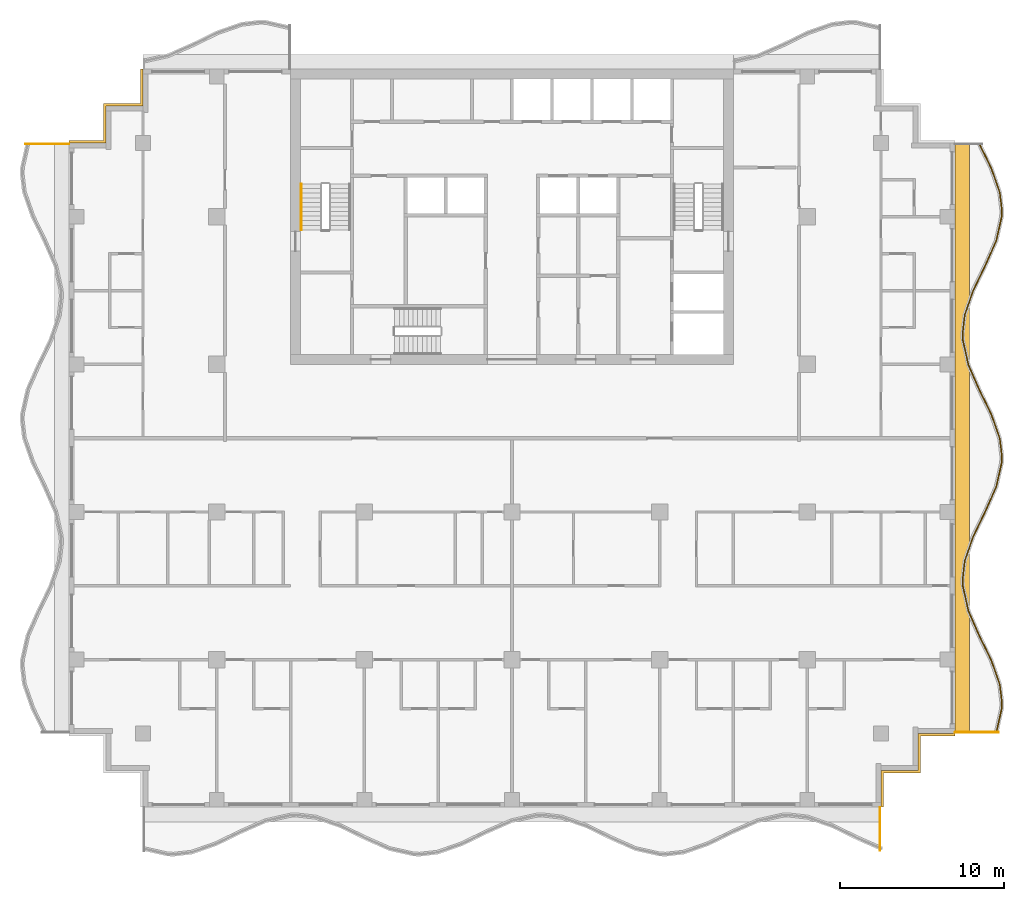
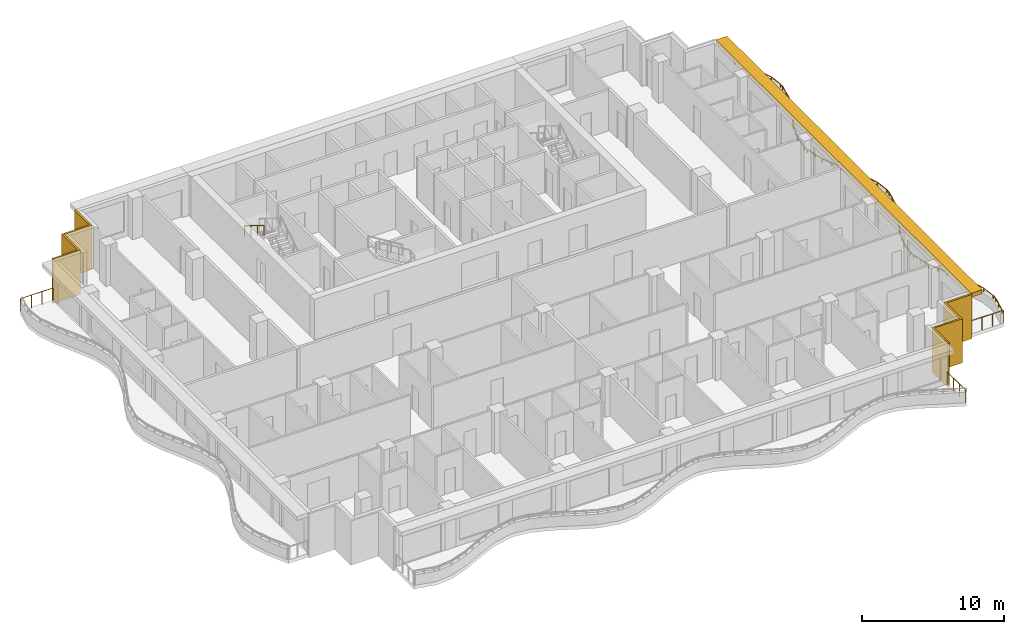
# One storey, part 10 of 11: 5 railings, 3 shading devices.
"""IFC4 building model written with IfcOpenShell, lengths in metres."""

import ifcopenshell
import ifcopenshell.guid

model = None  # the IFC model being written
_history = None  # IfcOwnerHistory: only IFC2X3 demands one
_inside = {}  # id of a spatial element -> (the spatial element, [elements in it])
_under = {}  # id of a project, library or spatial element -> (it, [spatial elements below it])
_declared = {}  # id of a project -> (the project, [libraries it declares])
_typed = {}  # id of a type object -> (the type object, [elements of that type])
_made_of = {}  # id of a material, layer set ... -> (it, [elements and type objects made of it])


def new_model(schema):
    """Start an empty IFC model of exactly this schema.

    Asked for "IFC4X3", IfcOpenShell would pick the latest addendum, in which some entities
    have other attributes; the version numbers below select the first issue.
    IFC2X3 requires an IfcOwnerHistory on every rooted entity: one is made here for all.
    """
    global model, _history
    if schema == "IFC4X3":
        model = ifcopenshell.file(schema_version=(4, 3, 0, 0))
    else:
        model = ifcopenshell.file(schema=schema)
    _inside.clear()
    _under.clear()
    _declared.clear()
    _typed.clear()
    _made_of.clear()
    _history = None
    if model.schema == "IFC2X3":
        org = make("IfcOrganization", Name="unknown")
        user = make(
            "IfcPersonAndOrganization",
            ThePerson=make("IfcPerson", FamilyName="unknown"),
            TheOrganization=org,
        )
        app = make(
            "IfcApplication",
            ApplicationDeveloper=org,
            Version="unknown",
            ApplicationFullName="unknown",
            ApplicationIdentifier="unknown",
        )
        _history = make(
            "IfcOwnerHistory",
            OwningUser=user,
            OwningApplication=app,
            ChangeAction="ADDED",
            CreationDate=0,
        )
    return model


def make(cls, **values):
    """One entity of the class cls with the attributes given. An attribute that is None is left unset."""
    return model.create_entity(
        cls, **{name: value for name, value in values.items() if value is not None}
    )


def rooted(cls, **values):
    """An entity with a GlobalId (a new one), such as an element, a storey or a relation."""
    return make(cls, GlobalId=ifcopenshell.guid.new(), OwnerHistory=_history, **values)


def si_unit(unit_type, name, prefix=None):
    """IfcSIUnit, for example si_unit("LENGTHUNIT", "METRE", prefix="MILLI")."""
    return make("IfcSIUnit", UnitType=unit_type, Prefix=prefix, Name=name)


def assignment(units):
    """IfcUnitAssignment: the units of a project."""
    return None if units is None else make("IfcUnitAssignment", Units=units)


def point(xyz):
    """IfcCartesianPoint."""
    return None if xyz is None else make("IfcCartesianPoint", Coordinates=xyz)


def direction(xyz):
    """IfcDirection."""
    return None if xyz is None else make("IfcDirection", DirectionRatios=xyz)


def frame(location, z_axis=None, x_axis=None):
    """IfcAxis2Placement3D, a coordinate frame: its origin and axes. An axis left out is left unset."""
    return make(
        "IfcAxis2Placement3D",
        Location=point(location),
        Axis=direction(z_axis),
        RefDirection=direction(x_axis),
    )


def frame_2d(location, x_axis=None):
    """IfcAxis2Placement2D, a coordinate frame in the plane: its origin and x axis."""
    return make(
        "IfcAxis2Placement2D", Location=point(location), RefDirection=direction(x_axis)
    )


def origin():
    """The frame at (0, 0, 0) with its axes left unset."""
    return frame((0.0, 0.0, 0.0))


def origin_2d():
    """The frame at (0, 0) in the plane with its x axis left unset."""
    return frame_2d((0.0, 0.0))


def place(relative_to, where):
    """IfcLocalPlacement: puts the frame where relative to a parent placement (None: the world)."""
    return make(
        "IfcLocalPlacement", PlacementRelTo=relative_to, RelativePlacement=where
    )


def context(
    kind, dimensions, precision=None, world=None, true_north=None, identifier=None
):
    """IfcGeometricRepresentationContext, for example the 3D "Model" context."""
    return make(
        "IfcGeometricRepresentationContext",
        ContextIdentifier=identifier,
        ContextType=kind,
        CoordinateSpaceDimension=dimensions,
        Precision=precision,
        WorldCoordinateSystem=world,
        TrueNorth=true_north,
    )


def subcontext(parent, identifier, kind, view, scale=None):
    """IfcGeometricRepresentationSubContext, for example "Body" below "Model"."""
    return make(
        "IfcGeometricRepresentationSubContext",
        ContextIdentifier=identifier,
        ContextType=kind,
        ParentContext=parent,
        TargetScale=scale,
        TargetView=view,
    )


def project(units=None, contexts=None):
    """IfcProject with its units and contexts."""
    return rooted(
        "IfcProject",
        Name="project",
        RepresentationContexts=contexts,
        UnitsInContext=assignment(units),
    )


def spatial(cls, under=None, at=None, **own):
    """A site, building, storey or space (cls), placed at a placement, below another one or the project."""
    s = rooted(cls, ObjectPlacement=at, **own)
    if under is not None:
        _under.setdefault(under.id(), (under, []))[1].append(s)
    return s


def polyline(points):
    """IfcPolyline through the points."""
    return make("IfcPolyline", Points=[point(p) for p in points])


def profile(cls, at=None, kind="AREA", **sizes):
    """A parametric profile (cls). Its sizes go by their IFC names, for example OverallWidth=200.0."""
    return make(cls, ProfileType=kind, Position=at, **sizes)


def rectangle(**sizes):
    """IfcRectangleProfileDef."""
    return profile("IfcRectangleProfileDef", **sizes)


def circle(**sizes):
    """IfcCircleProfileDef."""
    return profile("IfcCircleProfileDef", **sizes)


def outline(outer, holes=None, kind="AREA"):
    """IfcArbitraryClosedProfileDef: a profile drawn as a closed curve; with holes, ...WithVoids."""
    if holes is None:
        return make("IfcArbitraryClosedProfileDef", ProfileType=kind, OuterCurve=outer)
    return make(
        "IfcArbitraryProfileDefWithVoids",
        ProfileType=kind,
        OuterCurve=outer,
        InnerCurves=holes,
    )


def extrude(swept, where, along, depth):
    """IfcExtrudedAreaSolid: the profile swept, set in the frame where, extruded along a direction by depth."""
    return make(
        "IfcExtrudedAreaSolid",
        SweptArea=swept,
        Position=where,
        ExtrudedDirection=direction(along),
        Depth=depth,
    )


def shape(context_of_items, identifier, shape_type, items):
    """IfcShapeRepresentation: the items that make up one representation, for example the "Body"."""
    return make(
        "IfcShapeRepresentation",
        ContextOfItems=context_of_items,
        RepresentationIdentifier=identifier,
        RepresentationType=shape_type,
        Items=items,
    )


def material(Name=None, Category=None):
    """IfcMaterial."""
    return make("IfcMaterial", Name=Name, Category=Category)


def layer(
    of_material, thickness, ventilated=None, Name=None, Category=None, Priority=None
):
    """IfcMaterialLayer: one layer of a wall or slab, of a material (None: an air gap)."""
    return make(
        "IfcMaterialLayer",
        Material=of_material,
        LayerThickness=thickness,
        IsVentilated=ventilated,
        Name=Name,
        Category=Category,
        Priority=Priority,
    )


def layer_set(layers, Name=None):
    """IfcMaterialLayerSet."""
    return make("IfcMaterialLayerSet", MaterialLayers=layers, LayerSetName=Name)


def made_of(thing, what):
    """Note that an element or type object is made of a material, layer set ...; save() writes the relation."""
    if what is not None:
        _made_of.setdefault(what.id(), (what, []))[1].append(thing)
    return thing


def type_object(cls, material=None, **own):
    """A type object (cls), such as IfcWallType, which elements share."""
    return made_of(rooted(cls, **own), material)


def element(
    cls,
    number,
    at=None,
    inside=None,
    cuts=None,
    type_object=None,
    material=None,
    context=None,
    identifier="Body",
    shape_type=None,
    held_by="IfcProductDefinitionShape",
    body=None,
    shapes=None,
    **own,
):
    """One element of the class cls, such as IfcWall. Its Tag is "e" and its number.

    at: its placement. inside: the storey or other place that contains it. cuts: it is an
    opening in that element (IfcRelVoidsElement). A single representation is given by context,
    identifier, shape_type and body (its items); several are given by shapes. held_by: the class
    of the entity that holds the representations. save() writes the other relations.
    """
    e = rooted(cls, Tag="e%d" % number, ObjectPlacement=at, **own)
    if body is not None:
        shapes = [shape(context, identifier, shape_type, body)]
    if shapes is not None:
        e.Representation = make(held_by, Representations=shapes)
    if inside is not None:
        _inside.setdefault(inside.id(), (inside, []))[1].append(e)
    if cuts is not None:
        rooted(
            "IfcRelVoidsElement", RelatingBuildingElement=cuts, RelatedOpeningElement=e
        )
    if type_object is not None:
        _typed.setdefault(type_object.id(), (type_object, []))[1].append(e)
    return made_of(e, material)


def aggregate(whole, parts):
    """IfcRelAggregates: a whole, such as a stair, and the parts it consists of."""
    return rooted("IfcRelAggregates", RelatingObject=whole, RelatedObjects=parts)


def save(model, path):
    """Write the relations noted so far, then the file.

    IfcRelAggregates (storeys below a building ...), IfcRelContainedInSpatialStructure (elements
    in a storey), IfcRelDefinesByType, IfcRelAssociatesMaterial and IfcRelDeclares: one each for
    every whole, place, type object, material and project.
    """
    for whole, parts in _under.values():
        aggregate(whole, parts)
    for where, things in _inside.values():
        rooted(
            "IfcRelContainedInSpatialStructure",
            RelatedElements=things,
            RelatingStructure=where,
        )
    for kind, things in _typed.values():
        rooted("IfcRelDefinesByType", RelatedObjects=things, RelatingType=kind)
    for what, things in _made_of.values():
        rooted("IfcRelAssociatesMaterial", RelatedObjects=things, RelatingMaterial=what)
    for by, libraries in _declared.values():
        rooted("IfcRelDeclares", RelatingContext=by, RelatedDefinitions=libraries)
    model.write(path)


model = new_model("IFC4")

# Units and contexts
model_context = context("Model", 3, precision=1e-05, world=origin(), true_north=direction((0.0, 1.0)))
body_context = subcontext(model_context, "Body", "Model", "MODEL_VIEW")
ifc_project = project(units=[si_unit("LENGTHUNIT", "METRE"), si_unit("AREAUNIT", "SQUARE_METRE"), si_unit("VOLUMEUNIT", "CUBIC_METRE"), si_unit("PLANEANGLEUNIT", "RADIAN"), si_unit("MASSUNIT", "GRAM", prefix="KILO")], contexts=[model_context])

# Site, building, storey
site_placement = place(None, origin())
site = spatial("IfcSite", under=ifc_project, at=site_placement, CompositionType="ELEMENT")
building_placement = place(site_placement, origin())
building = spatial("IfcBuilding", under=site, at=building_placement, Name="Orbiselva Terraces", CompositionType="ELEMENT")
storey_placement = place(building_placement, frame((0.0, 0.0, 246.4)))
storey = spatial("IfcBuildingStorey", under=building, at=storey_placement, Name="L62", CompositionType="ELEMENT", Elevation=246.4)

# Railings
ifc_material_1 = material(Name="Stainless steel", Category="steel")
railing_type_1 = type_object("IfcRailingType", Name="CORE-HANDRAIL-900", PredefinedType="HANDRAIL", material=ifc_material_1)
railing_1_placement = place(storey_placement, frame((-12.85, 15.5, 2.072727)))
element("IfcRailing", 1, at=railing_1_placement, inside=storey, type_object=railing_type_1, Name="L62 S1 stair handrail 2", PredefinedType="HANDRAIL", context=body_context, shape_type="SweptSolid", body=[
    extrude(circle(Radius=0.024, at=origin_2d()), frame((0.0, 0.0, 0.876), z_axis=(0.0, -0.851088519012, 0.52502222125), x_axis=(1.0, 0.0, 0.0)), (0.0, 0.0, 1.0), 3.289905),
    extrude(circle(Radius=0.021, at=origin_2d()), origin(), (0.0, 0.0, 1.0), 0.852),
    extrude(circle(Radius=0.021, at=origin_2d()), frame((0.0, -0.933333, 0.575758)), (0.0, 0.0, 1.0), 0.852),
    extrude(circle(Radius=0.021, at=origin_2d()), frame((0.0, -1.866667, 1.151515)), (0.0, 0.0, 1.0), 0.852),
    extrude(circle(Radius=0.021, at=origin_2d()), frame((0.0, -2.8, 1.727273)), (0.0, 0.0, 1.0), 0.852),
])
ifc_material_2 = material(Name="Bonded two-ply safety glass balustrade, stainless steel posts", Category="steel")
railing_type_2 = type_object("IfcRailingType", Name="ENV-BALUSTRADE-1200", PredefinedType="BALUSTRADE", material=ifc_material_2)
railing_2_placement = place(storey_placement, frame((29.526563, -17.972623, 0.9)))
element("IfcRailing", 2, at=railing_2_placement, inside=storey, type_object=railing_type_2, Name="Balcony balustrade L62 E", PredefinedType="BALUSTRADE", context=body_context, shape_type="SweptSolid", body=[
    extrude(outline(polyline([(0.028868, 0.0), (0.014434, 0.025), (-0.014434, 0.025), (-0.028868, 0.0), (-0.014434, -0.025), (0.014434, -0.025), (0.028868, 0.0)])), frame((0.0, 0.0, 0.275), z_axis=(0.21901575501, 0.975721322437, 0.0), x_axis=(-0.975721322437, 0.21901575501, 0.0)), (0.0, 0.0, 1.0), 1.525954),
    extrude(outline(polyline([(0.028868, 0.0), (0.014434, 0.025), (-0.014434, 0.025), (-0.028868, 0.0), (-0.014434, -0.025), (0.014434, -0.025), (0.028868, 0.0)])), frame((0.334208, 1.488906, 0.275), z_axis=(0.039364150694, 0.999224931454, 0.0), x_axis=(-0.999224931454, 0.039364150694, 0.0)), (0.0, 0.0, 1.0), 0.354206),
    extrude(outline(polyline([(0.028868, 0.0), (0.014434, 0.025), (-0.014434, 0.025), (-0.028868, 0.0), (-0.014434, -0.025), (0.014434, -0.025), (0.028868, 0.0)])), frame((0.348151, 1.842837, 0.275), z_axis=(-0.115481264762, 0.993309658409, 0.0), x_axis=(-0.993309658409, -0.115481264762, 0.0)), (0.0, 0.0, 1.0), 1.10902),
    extrude(outline(polyline([(0.028868, 0.0), (0.014434, 0.025), (-0.014434, 0.025), (-0.028868, 0.0), (-0.014434, -0.025), (0.014434, -0.025), (0.028868, 0.0)])), frame((0.22008, 2.944437, 0.275), z_axis=(-0.330024754707, 0.943972277814, 0.0), x_axis=(-0.943972277814, -0.330024754707, 0.0)), (0.0, 0.0, 1.0), 1.567807),
    extrude(outline(polyline([(0.028868, 0.0), (0.014434, 0.025), (-0.014434, 0.025), (-0.028868, 0.0), (-0.014434, -0.025), (0.014434, -0.025), (0.028868, 0.0)])), frame((-0.297335, 4.424403, 0.275), z_axis=(-0.438811978768, 0.89857890432, 0.0), x_axis=(-0.89857890432, -0.438811978768, 0.0)), (0.0, 0.0, 1.0), 1.66438),
    extrude(outline(polyline([(0.028868, 0.0), (0.014434, 0.025), (-0.014434, 0.025), (-0.028868, 0.0), (-0.014434, -0.025), (0.014434, -0.025), (0.028868, 0.0)])), frame((-1.027685, 5.91998, 0.275), z_axis=(-0.403150874148, 0.915133527237, 0.0), x_axis=(-0.915133527237, -0.403150874148, 0.0)), (0.0, 0.0, 1.0), 1.653736),
    extrude(outline(polyline([(0.028868, 0.0), (0.014434, 0.025), (-0.014434, 0.025), (-0.028868, 0.0), (-0.014434, -0.025), (0.014434, -0.025), (0.028868, 0.0)])), frame((-1.69439, 7.433369, 0.275), z_axis=(-0.219015500924, 0.97572137947, 0.0), x_axis=(-0.97572137947, -0.219015500924, 0.0)), (0.0, 0.0, 1.0), 1.560867),
    extrude(outline(polyline([(0.028868, 0.0), (0.014434, 0.025), (-0.014434, 0.025), (-0.028868, 0.0), (-0.014434, -0.025), (0.014434, -0.025), (0.028868, 0.0)])), frame((-2.036244, 8.95634, 0.275), z_axis=(-0.03936915532, 0.999224734286, 0.0), x_axis=(-0.999224734286, -0.03936915532, 0.0)), (0.0, 0.0, 1.0), 0.396376),
    extrude(outline(polyline([(0.028868, 0.0), (0.014434, 0.025), (-0.014434, 0.025), (-0.028868, 0.0), (-0.014434, -0.025), (0.014434, -0.025), (0.028868, 0.0)])), frame((-2.051849, 9.352409, 0.275), z_axis=(0.115482182324, 0.993309551734, 0.0), x_axis=(-0.993309551734, 0.115482182324, 0.0)), (0.0, 0.0, 1.0), 1.156135),
    extrude(outline(polyline([(0.028868, 0.0), (0.014434, 0.025), (-0.014434, 0.025), (-0.028868, 0.0), (-0.014434, -0.025), (0.014434, -0.025), (0.028868, 0.0)])), frame((-1.918336, 10.500809, 0.275), z_axis=(0.330024597479, 0.943972332783, 0.0), x_axis=(-0.943972332783, 0.330024597479, 0.0)), (0.0, 0.0, 1.0), 1.610253),
    extrude(outline(polyline([(0.028868, 0.0), (0.014434, 0.025), (-0.014434, 0.025), (-0.028868, 0.0), (-0.014434, -0.025), (0.014434, -0.025), (0.028868, 0.0)])), frame((-1.386913, 12.020843, 0.275), z_axis=(0.438812048596, 0.898578870221, 0.0), x_axis=(-0.898578870221, 0.438812048596, 0.0)), (0.0, 0.0, 1.0), 1.674225),
    extrude(outline(polyline([(0.028868, 0.0), (0.014434, 0.025), (-0.014434, 0.025), (-0.028868, 0.0), (-0.014434, -0.025), (0.014434, -0.025), (0.028868, 0.0)])), frame((-0.652243, 13.525266, 0.275), z_axis=(0.403151245402, 0.915133363686, 0.0), x_axis=(-0.915133363686, 0.403151245402, 0.0)), (0.0, 0.0, 1.0), 1.624475),
    extrude(outline(polyline([(0.028868, 0.0), (0.014434, 0.025), (-0.014434, 0.025), (-0.028868, 0.0), (-0.014434, -0.025), (0.014434, -0.025), (0.028868, 0.0)])), frame((0.002666, 15.011877, 0.275), z_axis=(0.219015740235, 0.975721325753, 0.0), x_axis=(-0.975721325753, 0.219015740235, 0.0)), (0.0, 0.0, 1.0), 1.513782),
    extrude(outline(polyline([(0.028868, 0.0), (0.014434, 0.025), (-0.014434, 0.025), (-0.028868, 0.0), (-0.014434, -0.025), (0.014434, -0.025), (0.028868, 0.0)])), frame((0.334208, 16.488906, 0.275), z_axis=(0.039364150694, 0.999224931454, 0.0), x_axis=(-0.999224931454, 0.039364150694, 0.0)), (0.0, 0.0, 1.0), 0.354206),
    extrude(outline(polyline([(0.028868, 0.0), (0.014434, 0.025), (-0.014434, 0.025), (-0.028868, 0.0), (-0.014434, -0.025), (0.014434, -0.025), (0.028868, 0.0)])), frame((0.348151, 16.842837, 0.275), z_axis=(-0.115481264762, 0.993309658409, 0.0), x_axis=(-0.993309658409, -0.115481264762, 0.0)), (0.0, 0.0, 1.0), 1.10902),
    extrude(outline(polyline([(0.028868, 0.0), (0.014434, 0.025), (-0.014434, 0.025), (-0.028868, 0.0), (-0.014434, -0.025), (0.014434, -0.025), (0.028868, 0.0)])), frame((0.22008, 17.944437, 0.275), z_axis=(-0.330024754707, 0.943972277814, 0.0), x_axis=(-0.943972277814, -0.330024754707, 0.0)), (0.0, 0.0, 1.0), 1.567807),
    extrude(outline(polyline([(0.028868, 0.0), (0.014434, 0.025), (-0.014434, 0.025), (-0.028868, 0.0), (-0.014434, -0.025), (0.014434, -0.025), (0.028868, 0.0)])), frame((-0.297335, 19.424403, 0.275), z_axis=(-0.438811978768, 0.89857890432, 0.0), x_axis=(-0.89857890432, -0.438811978768, 0.0)), (0.0, 0.0, 1.0), 1.66438),
    extrude(outline(polyline([(0.028868, 0.0), (0.014434, 0.025), (-0.014434, 0.025), (-0.028868, 0.0), (-0.014434, -0.025), (0.014434, -0.025), (0.028868, 0.0)])), frame((-1.027685, 20.91998, 0.275), z_axis=(-0.403150874148, 0.915133527237, 0.0), x_axis=(-0.915133527237, -0.403150874148, 0.0)), (0.0, 0.0, 1.0), 1.653736),
    extrude(outline(polyline([(0.028868, 0.0), (0.014434, 0.025), (-0.014434, 0.025), (-0.028868, 0.0), (-0.014434, -0.025), (0.014434, -0.025), (0.028868, 0.0)])), frame((-1.69439, 22.433369, 0.275), z_axis=(-0.219015500924, 0.97572137947, 0.0), x_axis=(-0.97572137947, -0.219015500924, 0.0)), (0.0, 0.0, 1.0), 1.560867),
    extrude(outline(polyline([(0.028868, 0.0), (0.014434, 0.025), (-0.014434, 0.025), (-0.028868, 0.0), (-0.014434, -0.025), (0.014434, -0.025), (0.028868, 0.0)])), frame((-2.036244, 23.95634, 0.275), z_axis=(-0.03936915532, 0.999224734286, 0.0), x_axis=(-0.999224734286, -0.03936915532, 0.0)), (0.0, 0.0, 1.0), 0.396376),
    extrude(outline(polyline([(0.028868, 0.0), (0.014434, 0.025), (-0.014434, 0.025), (-0.028868, 0.0), (-0.014434, -0.025), (0.014434, -0.025), (0.028868, 0.0)])), frame((-2.051849, 24.352409, 0.275), z_axis=(0.115482182324, 0.993309551734, 0.0), x_axis=(-0.993309551734, 0.115482182324, 0.0)), (0.0, 0.0, 1.0), 1.156135),
    extrude(outline(polyline([(0.028868, 0.0), (0.014434, 0.025), (-0.014434, 0.025), (-0.028868, 0.0), (-0.014434, -0.025), (0.014434, -0.025), (0.028868, 0.0)])), frame((-1.918336, 25.500809, 0.275), z_axis=(0.330024597479, 0.943972332783, 0.0), x_axis=(-0.943972332783, 0.330024597479, 0.0)), (0.0, 0.0, 1.0), 1.610253),
    extrude(outline(polyline([(0.028868, 0.0), (0.014434, 0.025), (-0.014434, 0.025), (-0.028868, 0.0), (-0.014434, -0.025), (0.014434, -0.025), (0.028868, 0.0)])), frame((-1.386913, 27.020843, 0.275), z_axis=(0.438812048596, 0.898578870221, 0.0), x_axis=(-0.898578870221, 0.438812048596, 0.0)), (0.0, 0.0, 1.0), 1.674225),
    extrude(outline(polyline([(0.028868, 0.0), (0.014434, 0.025), (-0.014434, 0.025), (-0.028868, 0.0), (-0.014434, -0.025), (0.014434, -0.025), (0.028868, 0.0)])), frame((-0.652243, 28.525266, 0.275), z_axis=(0.403151245402, 0.915133363686, 0.0), x_axis=(-0.915133363686, 0.403151245402, 0.0)), (0.0, 0.0, 1.0), 1.624475),
    extrude(outline(polyline([(0.028868, 0.0), (0.014434, 0.025), (-0.014434, 0.025), (-0.028868, 0.0), (-0.014434, -0.025), (0.014434, -0.025), (0.028868, 0.0)])), frame((0.002666, 30.011877, 0.275), z_axis=(0.219015740235, 0.975721325753, 0.0), x_axis=(-0.975721325753, 0.219015740235, 0.0)), (0.0, 0.0, 1.0), 1.513782),
    extrude(outline(polyline([(0.028868, 0.0), (0.014434, 0.025), (-0.014434, 0.025), (-0.028868, 0.0), (-0.014434, -0.025), (0.014434, -0.025), (0.028868, 0.0)])), frame((0.334208, 31.488906, 0.275), z_axis=(0.039364150694, 0.999224931454, 0.0), x_axis=(-0.999224931454, 0.039364150694, 0.0)), (0.0, 0.0, 1.0), 0.354206),
    extrude(outline(polyline([(0.028868, 0.0), (0.014434, 0.025), (-0.014434, 0.025), (-0.028868, 0.0), (-0.014434, -0.025), (0.014434, -0.025), (0.028868, 0.0)])), frame((0.348151, 31.842837, 0.275), z_axis=(-0.115481264762, 0.993309658409, 0.0), x_axis=(-0.993309658409, -0.115481264762, 0.0)), (0.0, 0.0, 1.0), 1.10902),
    extrude(outline(polyline([(0.028868, 0.0), (0.014434, 0.025), (-0.014434, 0.025), (-0.028868, 0.0), (-0.014434, -0.025), (0.014434, -0.025), (0.028868, 0.0)])), frame((0.22008, 32.944437, 0.275), z_axis=(-0.330024754707, 0.943972277814, 0.0), x_axis=(-0.943972277814, -0.330024754707, 0.0)), (0.0, 0.0, 1.0), 1.567807),
    extrude(outline(polyline([(0.028868, 0.0), (0.014434, 0.025), (-0.014434, 0.025), (-0.028868, 0.0), (-0.014434, -0.025), (0.014434, -0.025), (0.028868, 0.0)])), frame((-0.297335, 34.424403, 0.275), z_axis=(-0.438811853882, 0.898578965307, 0.0), x_axis=(-0.898578965307, -0.438811853882, 0.0)), (0.0, 0.0, 1.0), 1.661922),
    extrude(rectangle(XDim=0.05, YDim=0.05, at=origin_2d()), origin(), (0.0, 0.0, 1.0), 0.25),
    extrude(rectangle(XDim=0.05, YDim=0.05, at=origin_2d()), frame((0.167104, 0.744453, 0.0)), (0.0, 0.0, 1.0), 0.25),
    extrude(rectangle(XDim=0.05, YDim=0.05, at=origin_2d()), frame((0.334208, 1.488906, 0.0)), (0.0, 0.0, 1.0), 0.25),
    extrude(rectangle(XDim=0.05, YDim=0.05, at=origin_2d()), frame((0.348151, 1.842837, 0.0)), (0.0, 0.0, 1.0), 0.25),
    extrude(rectangle(XDim=0.05, YDim=0.05, at=origin_2d()), frame((0.22008, 2.944437, 0.0)), (0.0, 0.0, 1.0), 0.25),
    extrude(rectangle(XDim=0.05, YDim=0.05, at=origin_2d()), frame((-0.038628, 3.68442, 0.0)), (0.0, 0.0, 1.0), 0.25),
    extrude(rectangle(XDim=0.05, YDim=0.05, at=origin_2d()), frame((-0.297335, 4.424403, 0.0)), (0.0, 0.0, 1.0), 0.25),
    extrude(rectangle(XDim=0.05, YDim=0.05, at=origin_2d()), frame((-0.66251, 5.172191, 0.0)), (0.0, 0.0, 1.0), 0.25),
    extrude(rectangle(XDim=0.05, YDim=0.05, at=origin_2d()), frame((-1.027685, 5.91998, 0.0)), (0.0, 0.0, 1.0), 0.25),
    extrude(rectangle(XDim=0.05, YDim=0.05, at=origin_2d()), frame((-1.361037, 6.676674, 0.0)), (0.0, 0.0, 1.0), 0.25),
    extrude(rectangle(XDim=0.05, YDim=0.05, at=origin_2d()), frame((-1.69439, 7.433369, 0.0)), (0.0, 0.0, 1.0), 0.25),
    extrude(rectangle(XDim=0.05, YDim=0.05, at=origin_2d()), frame((-1.865317, 8.194854, 0.0)), (0.0, 0.0, 1.0), 0.25),
    extrude(rectangle(XDim=0.05, YDim=0.05, at=origin_2d()), frame((-2.036244, 8.95634, 0.0)), (0.0, 0.0, 1.0), 0.25),
    extrude(rectangle(XDim=0.05, YDim=0.05, at=origin_2d()), frame((-2.051849, 9.352409, 0.0)), (0.0, 0.0, 1.0), 0.25),
    extrude(rectangle(XDim=0.05, YDim=0.05, at=origin_2d()), frame((-1.918336, 10.500809, 0.0)), (0.0, 0.0, 1.0), 0.25),
    extrude(rectangle(XDim=0.05, YDim=0.05, at=origin_2d()), frame((-1.652624, 11.260826, 0.0)), (0.0, 0.0, 1.0), 0.25),
    extrude(rectangle(XDim=0.05, YDim=0.05, at=origin_2d()), frame((-1.386913, 12.020843, 0.0)), (0.0, 0.0, 1.0), 0.25),
    extrude(rectangle(XDim=0.05, YDim=0.05, at=origin_2d()), frame((-1.019578, 12.773054, 0.0)), (0.0, 0.0, 1.0), 0.25),
    extrude(rectangle(XDim=0.05, YDim=0.05, at=origin_2d()), frame((-0.652243, 13.525266, 0.0)), (0.0, 0.0, 1.0), 0.25),
    extrude(rectangle(XDim=0.05, YDim=0.05, at=origin_2d()), frame((-0.324788, 14.268571, 0.0)), (0.0, 0.0, 1.0), 0.25),
    extrude(rectangle(XDim=0.05, YDim=0.05, at=origin_2d()), frame((0.002666, 15.011877, 0.0)), (0.0, 0.0, 1.0), 0.25),
    extrude(rectangle(XDim=0.05, YDim=0.05, at=origin_2d()), frame((0.168437, 15.750392, 0.0)), (0.0, 0.0, 1.0), 0.25),
    extrude(rectangle(XDim=0.05, YDim=0.05, at=origin_2d()), frame((0.334208, 16.488906, 0.0)), (0.0, 0.0, 1.0), 0.25),
    extrude(rectangle(XDim=0.05, YDim=0.05, at=origin_2d()), frame((0.348151, 16.842837, 0.0)), (0.0, 0.0, 1.0), 0.25),
    extrude(rectangle(XDim=0.05, YDim=0.05, at=origin_2d()), frame((0.22008, 17.944437, 0.0)), (0.0, 0.0, 1.0), 0.25),
    extrude(rectangle(XDim=0.05, YDim=0.05, at=origin_2d()), frame((-0.038628, 18.68442, 0.0)), (0.0, 0.0, 1.0), 0.25),
    extrude(rectangle(XDim=0.05, YDim=0.05, at=origin_2d()), frame((-0.297335, 19.424403, 0.0)), (0.0, 0.0, 1.0), 0.25),
    extrude(rectangle(XDim=0.05, YDim=0.05, at=origin_2d()), frame((-0.66251, 20.172191, 0.0)), (0.0, 0.0, 1.0), 0.25),
    extrude(rectangle(XDim=0.05, YDim=0.05, at=origin_2d()), frame((-1.027685, 20.91998, 0.0)), (0.0, 0.0, 1.0), 0.25),
    extrude(rectangle(XDim=0.05, YDim=0.05, at=origin_2d()), frame((-1.361037, 21.676674, 0.0)), (0.0, 0.0, 1.0), 0.25),
    extrude(rectangle(XDim=0.05, YDim=0.05, at=origin_2d()), frame((-1.69439, 22.433369, 0.0)), (0.0, 0.0, 1.0), 0.25),
    extrude(rectangle(XDim=0.05, YDim=0.05, at=origin_2d()), frame((-1.865317, 23.194854, 0.0)), (0.0, 0.0, 1.0), 0.25),
    extrude(rectangle(XDim=0.05, YDim=0.05, at=origin_2d()), frame((-2.036244, 23.95634, 0.0)), (0.0, 0.0, 1.0), 0.25),
    extrude(rectangle(XDim=0.05, YDim=0.05, at=origin_2d()), frame((-2.051849, 24.352409, 0.0)), (0.0, 0.0, 1.0), 0.25),
    extrude(rectangle(XDim=0.05, YDim=0.05, at=origin_2d()), frame((-1.918336, 25.500809, 0.0)), (0.0, 0.0, 1.0), 0.25),
    extrude(rectangle(XDim=0.05, YDim=0.05, at=origin_2d()), frame((-1.652624, 26.260826, 0.0)), (0.0, 0.0, 1.0), 0.25),
    extrude(rectangle(XDim=0.05, YDim=0.05, at=origin_2d()), frame((-1.386913, 27.020843, 0.0)), (0.0, 0.0, 1.0), 0.25),
    extrude(rectangle(XDim=0.05, YDim=0.05, at=origin_2d()), frame((-1.019578, 27.773054, 0.0)), (0.0, 0.0, 1.0), 0.25),
    extrude(rectangle(XDim=0.05, YDim=0.05, at=origin_2d()), frame((-0.652243, 28.525266, 0.0)), (0.0, 0.0, 1.0), 0.25),
    extrude(rectangle(XDim=0.05, YDim=0.05, at=origin_2d()), frame((-0.324788, 29.268572, 0.0)), (0.0, 0.0, 1.0), 0.25),
    extrude(rectangle(XDim=0.05, YDim=0.05, at=origin_2d()), frame((0.002666, 30.011877, 0.0)), (0.0, 0.0, 1.0), 0.25),
    extrude(rectangle(XDim=0.05, YDim=0.05, at=origin_2d()), frame((0.168437, 30.750392, 0.0)), (0.0, 0.0, 1.0), 0.25),
    extrude(rectangle(XDim=0.05, YDim=0.05, at=origin_2d()), frame((0.334208, 31.488906, 0.0)), (0.0, 0.0, 1.0), 0.25),
    extrude(rectangle(XDim=0.05, YDim=0.05, at=origin_2d()), frame((0.348151, 31.842837, 0.0)), (0.0, 0.0, 1.0), 0.25),
    extrude(rectangle(XDim=0.05, YDim=0.05, at=origin_2d()), frame((0.22008, 32.944437, 0.0)), (0.0, 0.0, 1.0), 0.25),
    extrude(rectangle(XDim=0.05, YDim=0.05, at=origin_2d()), frame((-0.038628, 33.68442, 0.0)), (0.0, 0.0, 1.0), 0.25),
    extrude(rectangle(XDim=0.05, YDim=0.05, at=origin_2d()), frame((-0.297335, 34.424403, 0.0)), (0.0, 0.0, 1.0), 0.25),
    extrude(rectangle(XDim=0.05, YDim=0.05, at=origin_2d()), frame((-0.661971, 35.171087, 0.0)), (0.0, 0.0, 1.0), 0.25),
    extrude(rectangle(XDim=0.05, YDim=0.05, at=origin_2d()), frame((-1.026606, 35.917771, 0.0)), (0.0, 0.0, 1.0), 0.25),
])
ifc_material_3 = material(Name="Stainless steel rail and posts", Category="steel")
railing_type_3 = type_object("IfcRailingType", Name="ENV-GUARD-1105", PredefinedType="BALUSTRADE", material=ifc_material_3)
railing_3_placement = place(storey_placement, frame((22.44, -25.126937, 0.0)))
element("IfcRailing", 3, at=railing_3_placement, inside=storey, type_object=railing_type_3, Name="Balcony end guard L62 S", PredefinedType="BALUSTRADE", context=body_context, shape_type="SweptSolid", body=[
    extrude(outline(polyline([(0.028868, 0.0), (0.014434, 0.025), (-0.014434, 0.025), (-0.028868, 0.0), (-0.014434, -0.025), (0.014434, -0.025), (0.028868, 0.0)])), frame((0.0, 0.0, 1.08), z_axis=(0.0, 1.0, 0.0), x_axis=(-1.0, 0.0, 0.0)), (0.0, 0.0, 1.0), 2.601937),
    extrude(rectangle(XDim=0.05, YDim=0.05, at=origin_2d()), origin(), (0.0, 0.0, 1.0), 1.055),
    extrude(rectangle(XDim=0.05, YDim=0.05, at=origin_2d()), frame((0.0, 0.867312, 0.0)), (0.0, 0.0, 1.0), 1.055),
    extrude(rectangle(XDim=0.05, YDim=0.05, at=origin_2d()), frame((0.0, 1.734625, 0.0)), (0.0, 0.0, 1.0), 1.055),
    extrude(rectangle(XDim=0.05, YDim=0.05, at=origin_2d()), frame((0.0, 2.601937, 0.0)), (0.0, 0.0, 1.0), 1.055),
])
railing_4_placement = place(storey_placement, frame((29.669584, -17.94, 0.0)))
element("IfcRailing", 4, at=railing_4_placement, inside=storey, type_object=railing_type_3, Name="Balcony end guard L62 E", PredefinedType="BALUSTRADE", context=body_context, shape_type="SweptSolid", body=[
    extrude(outline(polyline([(0.028868, 0.0), (0.014434, 0.025), (-0.014434, 0.025), (-0.028868, 0.0), (-0.014434, -0.025), (0.014434, -0.025), (0.028868, 0.0)])), frame((0.0, 0.0, 1.08), z_axis=(-1.0, 0.0, 0.0), x_axis=(0.0, -1.0, 0.0)), (0.0, 0.0, 1.0), 2.644584),
    extrude(rectangle(XDim=0.05, YDim=0.05, at=origin_2d()), origin(), (0.0, 0.0, 1.0), 1.055),
    extrude(rectangle(XDim=0.05, YDim=0.05, at=origin_2d()), frame((-0.881528, 0.0, 0.0)), (0.0, 0.0, 1.0), 1.055),
    extrude(rectangle(XDim=0.05, YDim=0.05, at=origin_2d()), frame((-1.763056, 0.0, 0.0)), (0.0, 0.0, 1.0), 1.055),
    extrude(rectangle(XDim=0.05, YDim=0.05, at=origin_2d()), frame((-2.644584, 0.0, 0.0)), (0.0, 0.0, 1.0), 1.055),
])
railing_5_placement = place(storey_placement, frame((-29.669584, 17.94, 0.0)))
element("IfcRailing", 5, at=railing_5_placement, inside=storey, type_object=railing_type_3, Name="Balcony end guard L62 W", PredefinedType="BALUSTRADE", context=body_context, shape_type="SweptSolid", body=[
    extrude(outline(polyline([(0.028868, 0.0), (0.014434, 0.025), (-0.014434, 0.025), (-0.028868, 0.0), (-0.014434, -0.025), (0.014434, -0.025), (0.028868, 0.0)])), frame((0.0, 0.0, 1.08), z_axis=(1.0, 0.0, 0.0), x_axis=(0.0, 1.0, 0.0)), (0.0, 0.0, 1.0), 2.644584),
    extrude(rectangle(XDim=0.05, YDim=0.05, at=origin_2d()), origin(), (0.0, 0.0, 1.0), 1.055),
    extrude(rectangle(XDim=0.05, YDim=0.05, at=origin_2d()), frame((0.881528, 0.0, 0.0)), (0.0, 0.0, 1.0), 1.055),
    extrude(rectangle(XDim=0.05, YDim=0.05, at=origin_2d()), frame((1.763056, 0.0, 0.0)), (0.0, 0.0, 1.0), 1.055),
    extrude(rectangle(XDim=0.05, YDim=0.05, at=origin_2d()), frame((2.644584, 0.0, 0.0)), (0.0, 0.0, 1.0), 1.055),
])

# Shading devices
ifc_material_4 = material(Name="Terracotta louvre screen", Category="masonry")
ifc_layer_1 = layer(ifc_material_4, 0.15)
ifc_layer_set_1 = layer_set([ifc_layer_1], Name="Terracotta louvre screen")
shading_device_type_1 = type_object("IfcShadingDeviceType", Name="ENV-SCREEN-150", PredefinedType="USERDEFINED", material=ifc_layer_set_1)
shading_device_1_placement = place(storey_placement, frame((0.0, 0.0, -0.3)))
element("IfcShadingDevice", 6, at=shading_device_1_placement, inside=storey, type_object=shading_device_type_1, Name="Louvre screen L62 NW", ObjectType="SCREEN", PredefinedType="USERDEFINED", context=body_context, shape_type="SweptSolid", body=[
    extrude(outline(polyline([(-22.65, 22.5), (-22.65, 20.4), (-24.9, 20.4), (-24.9, 18.15), (-27.0, 18.15), (-27.0, 18.0), (-24.75, 18.0), (-24.75, 20.25), (-22.5, 20.25), (-22.5, 22.5), (-22.65, 22.5)])), origin(), (0.0, 0.0, 1.0), 3.8),
])
shading_device_2_placement = place(storey_placement, frame((0.0, 0.0, -0.3)))
element("IfcShadingDevice", 7, at=shading_device_2_placement, inside=storey, type_object=shading_device_type_1, Name="Louvre screen L62 SE", ObjectType="SCREEN", PredefinedType="USERDEFINED", context=body_context, shape_type="SweptSolid", body=[
    extrude(outline(polyline([(22.65, -22.5), (22.65, -20.4), (24.9, -20.4), (24.9, -18.15), (27.0, -18.15), (27.0, -18.0), (24.75, -18.0), (24.75, -20.25), (22.5, -20.25), (22.5, -22.5), (22.65, -22.5)])), origin(), (0.0, 0.0, 1.0), 3.8),
])
ifc_material_5 = material(Name="Terracotta baguette sunshade", Category="masonry")
ifc_layer_2 = layer(ifc_material_5, 0.35)
ifc_layer_set_2 = layer_set([ifc_layer_2], Name="Terracotta baguette sunshade")
shading_device_type_2 = type_object("IfcShadingDeviceType", Name="ENV-SUNSHADE-900x350", PredefinedType="USERDEFINED", material=ifc_layer_set_2)
shading_device_3_placement = place(storey_placement, frame((0.0, 0.0, 3.15)))
element("IfcShadingDevice", 8, at=shading_device_3_placement, inside=storey, type_object=shading_device_type_2, Name="Sunshade band L62 E", ObjectType="SUNSHADE", PredefinedType="USERDEFINED", context=body_context, shape_type="SweptSolid", body=[
    extrude(outline(polyline([(27.9, -18.0), (27.9, 18.0), (27.0, 18.0), (27.0, -18.0), (27.9, -18.0)])), origin(), (0.0, 0.0, 1.0), 0.35),
])

save(model, "model.ifc")
